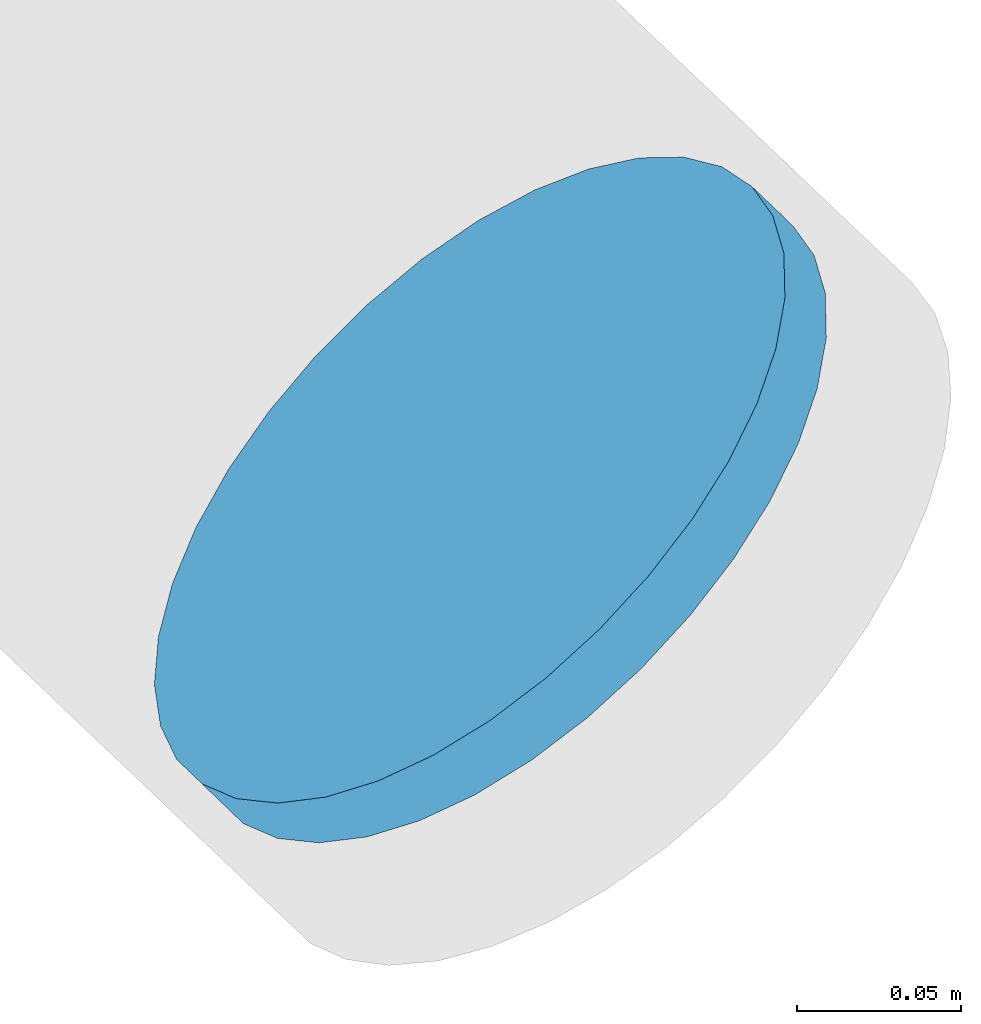
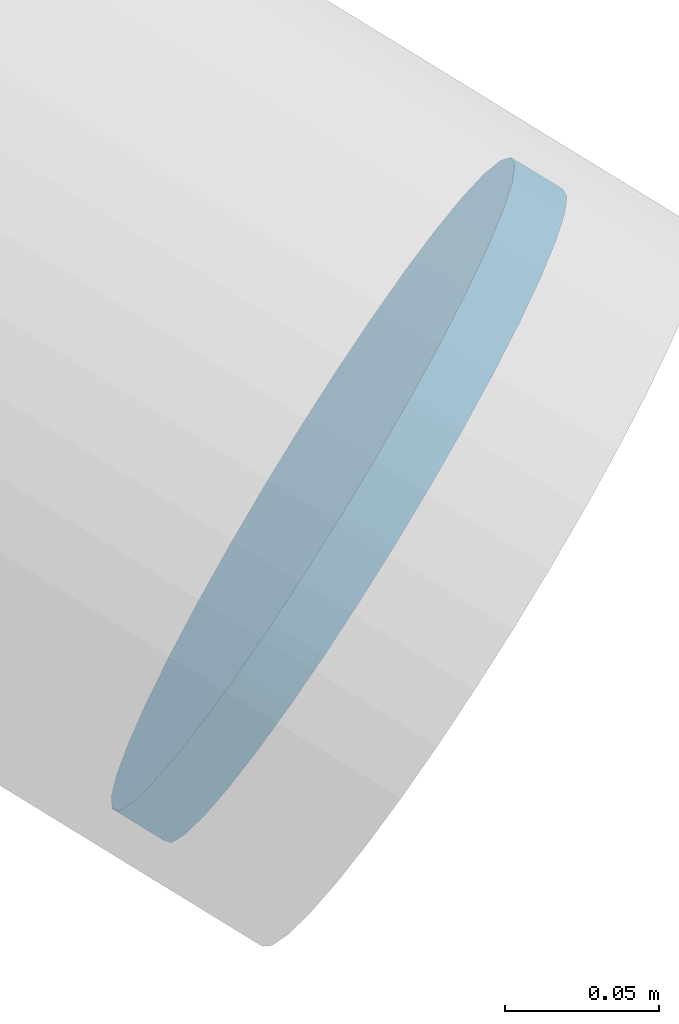
# One storey, part 31 of 38: 1 discrete accessory.
"""IFC4 building model written with IfcOpenShell, lengths in metres."""

from ifc_helpers import new_model, si_unit, direction, frame, origin, origin_2d, place, context, subcontext, project, spatial, circle, extrude, material, material_profile, profile_set, type_object, element, save


model = new_model("IFC4")

# Units and contexts
model_context = context("Model", 3, precision=1e-05, world=origin(), true_north=direction((0.0, 1.0)))
body_context = subcontext(model_context, "Body", "Model", "MODEL_VIEW")
ifc_project = project(units=[si_unit("LENGTHUNIT", "METRE"), si_unit("AREAUNIT", "SQUARE_METRE"), si_unit("VOLUMEUNIT", "CUBIC_METRE"), si_unit("PLANEANGLEUNIT", "RADIAN"), si_unit("MASSUNIT", "GRAM", prefix="KILO")], contexts=[model_context])

# Site, building, storey
site_placement = place(None, origin())
site = spatial("IfcSite", under=ifc_project, at=site_placement, CompositionType="ELEMENT")
building_placement = place(site_placement, origin())
building = spatial("IfcBuilding", under=site, at=building_placement, Name="Rimbun Link Towers", CompositionType="ELEMENT")
storey_placement = place(building_placement, frame((0.0, 0.0, 119.60009765625)))
storey = spatial("IfcBuildingStorey", under=building, at=storey_placement, Name="L29", CompositionType="ELEMENT", Elevation=119.60009765625)

# Discrete accessory
ifc_material = material(Name="Steel S355J2H", Category="steel")
ifc_material_profile = material_profile(ifc_material, circle(Radius=0.1240234375, at=origin_2d()), Name="PL D248")
ifc_profile_set = profile_set([ifc_material_profile], Name="Steel S355J2H")
discrete_accessory_type = type_object("IfcDiscreteAccessoryType", Name="Link foot sealing plate D248X20", PredefinedType="BRACKET", material=ifc_profile_set)
discrete_accessory_placement = place(storey_placement, frame((43.5283203125, -19.14599609375, -2.130615234375), z_axis=(0.63040723846, -0.606160806211, -0.484928644969), x_axis=(0.693108716252, 0.720833064902, 0.0)))
element("IfcDiscreteAccessory", 1, at=discrete_accessory_placement, inside=storey, type_object=discrete_accessory_type, Name="Link foot sealing plate T2 L29 17", PredefinedType="BRACKET", context=body_context, shape_type="SweptSolid", body=[
    extrude(circle(Radius=0.1240234375, at=origin_2d()), origin(), (0.0, 0.0, 1.0), 0.02001953125),
])

save(model, "model.ifc")
